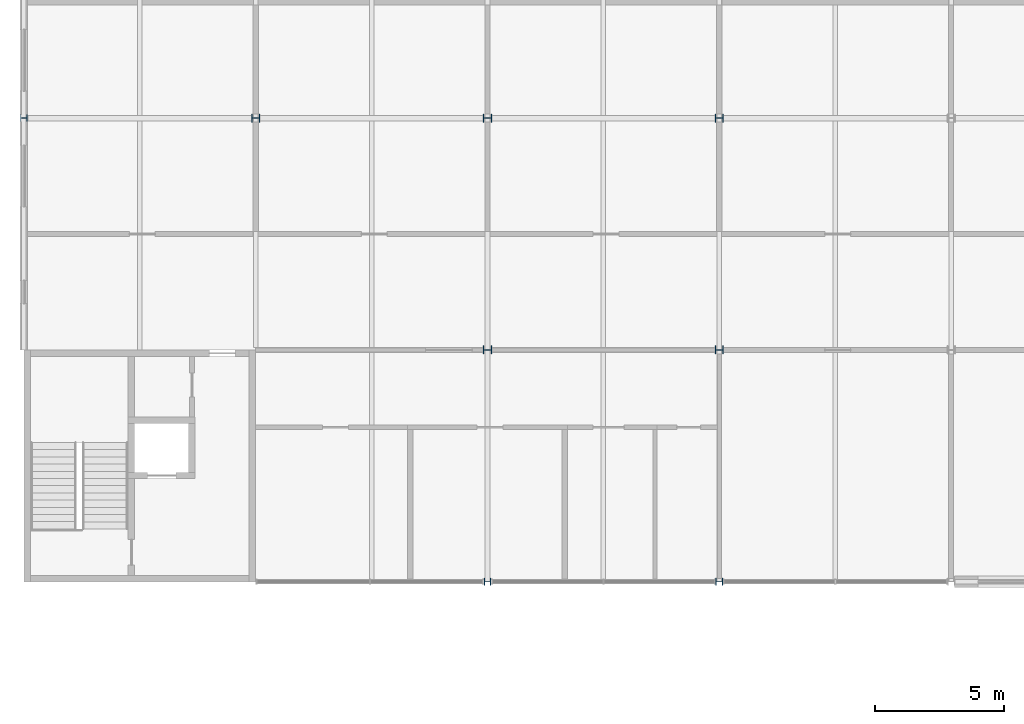
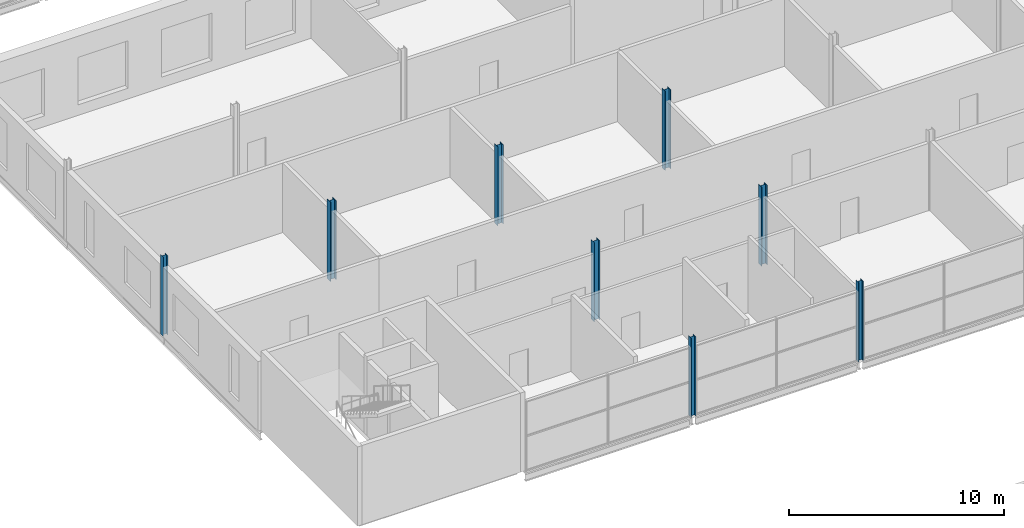
# One storey, part 5 of 97: 8 columns.
"""IFC4 building model written with IfcOpenShell, lengths in metres."""

from ifc_helpers import new_model, si_unit, direction, frame, origin, origin_2d, place, context, subcontext, project, spatial, i_section, extrude, material, material_profile, profile_set, type_object, element, save


model = new_model("IFC4")

# Units and contexts
model_context = context("Model", 3, precision=1e-05, world=origin(), true_north=direction((0.0, 1.0)))
body_context = subcontext(model_context, "Body", "Model", "MODEL_VIEW")
ifc_project = project(units=[si_unit("LENGTHUNIT", "METRE"), si_unit("AREAUNIT", "SQUARE_METRE"), si_unit("VOLUMEUNIT", "CUBIC_METRE"), si_unit("PLANEANGLEUNIT", "RADIAN"), si_unit("MASSUNIT", "GRAM", prefix="KILO")], contexts=[model_context])

# Site, building, storey
site_placement = place(None, origin())
site = spatial("IfcSite", under=ifc_project, at=site_placement, CompositionType="ELEMENT")
building_placement = place(site_placement, origin())
building = spatial("IfcBuilding", under=site, at=building_placement, Name="Corbel Yard City Hall", CompositionType="ELEMENT")
storey_placement = place(building_placement, frame((0.0, 0.0, 6.0)))
storey = spatial("IfcBuildingStorey", under=building, at=storey_placement, Name="L01", CompositionType="ELEMENT", Elevation=6.0)

# Columns
ifc_material = material(Name="Steel Grade 300 (300 MPa yield)", Category="steel")
ifc_material_profile_1 = material_profile(ifc_material, i_section(OverallWidth=0.256103515625, OverallDepth=0.260009765625, WebThickness=0.010498046875, FlangeThickness=0.017333984375, at=origin_2d()), Name="250UC89.5")
ifc_profile_set_1 = profile_set([ifc_material_profile_1], Name="Steel Grade 300 (300 MPa yield)")
column_type_1 = type_object("IfcColumnType", Name="Column 250UC89.5", PredefinedType="COLUMN", material=ifc_profile_set_1)
for number, where, z_axis, x_axis, name in (
    (1, (0.0, 63.0, 0.0), (0.0, 0.0, 1.0), (0.0, 1.0, 0.0), "Column 250UC89.5 H/1 L01"),
    (2, (18.0, 45.0, 0.0), (0.0, 0.0, 1.0), (0.0, 1.0, 0.0), "Column 250UC89.5 F/3 L01"),
    (3, (27.0, 45.0, 0.0), (0.0, 0.0, 1.0), (0.0, 1.0, 0.0), "Column 250UC89.5 F/4 L01"),
):
    element("IfcColumn", number, at=place(storey_placement, frame(where, z_axis=z_axis, x_axis=x_axis)), inside=storey, type_object=column_type_1, Name=name, PredefinedType="COLUMN", context=body_context, shape_type="SweptSolid", body=[
        extrude(i_section(OverallWidth=0.256103515625, OverallDepth=0.260009765625, WebThickness=0.010498046875, FlangeThickness=0.017333984375, at=origin_2d()), origin(), (0.0, 0.0, 1.0), 4.5),
    ])
ifc_material_profile_2 = material_profile(ifc_material, i_section(OverallWidth=0.306884765625, OverallDepth=0.31494140625, WebThickness=0.011962890625, FlangeThickness=0.018798828125, at=origin_2d()), Name="310UC118")
ifc_profile_set_2 = profile_set([ifc_material_profile_2], Name="Steel Grade 300 (300 MPa yield)")
column_type_2 = type_object("IfcColumnType", Name="Column 310UC118", PredefinedType="COLUMN", material=ifc_profile_set_2)
for number, where, z_axis, x_axis, name in (
    (4, (9.0, 63.0, 0.0), (0.0, 0.0, 1.0), (0.0, 1.0, 0.0), "Column 310UC118 H/2 L01"),
    (5, (18.0, 54.0, 0.0), (0.0, 0.0, 1.0), (0.0, 1.0, 0.0), "Column 310UC118 G/3 L01"),
    (6, (18.0, 63.0, 0.0), (0.0, 0.0, 1.0), (0.0, 1.0, 0.0), "Column 310UC118 H/3 L01"),
    (7, (27.0, 54.0, 0.0), (0.0, 0.0, 1.0), (0.0, 1.0, 0.0), "Column 310UC118 G/4 L01"),
    (8, (27.0, 63.0, 0.0), (0.0, 0.0, 1.0), (0.0, 1.0, 0.0), "Column 310UC118 H/4 L01"),
):
    element("IfcColumn", number, at=place(storey_placement, frame(where, z_axis=z_axis, x_axis=x_axis)), inside=storey, type_object=column_type_2, Name=name, PredefinedType="COLUMN", context=body_context, shape_type="SweptSolid", body=[
        extrude(i_section(OverallWidth=0.306884765625, OverallDepth=0.31494140625, WebThickness=0.011962890625, FlangeThickness=0.018798828125, at=origin_2d()), origin(), (0.0, 0.0, 1.0), 4.5),
    ])

save(model, "model.ifc")
